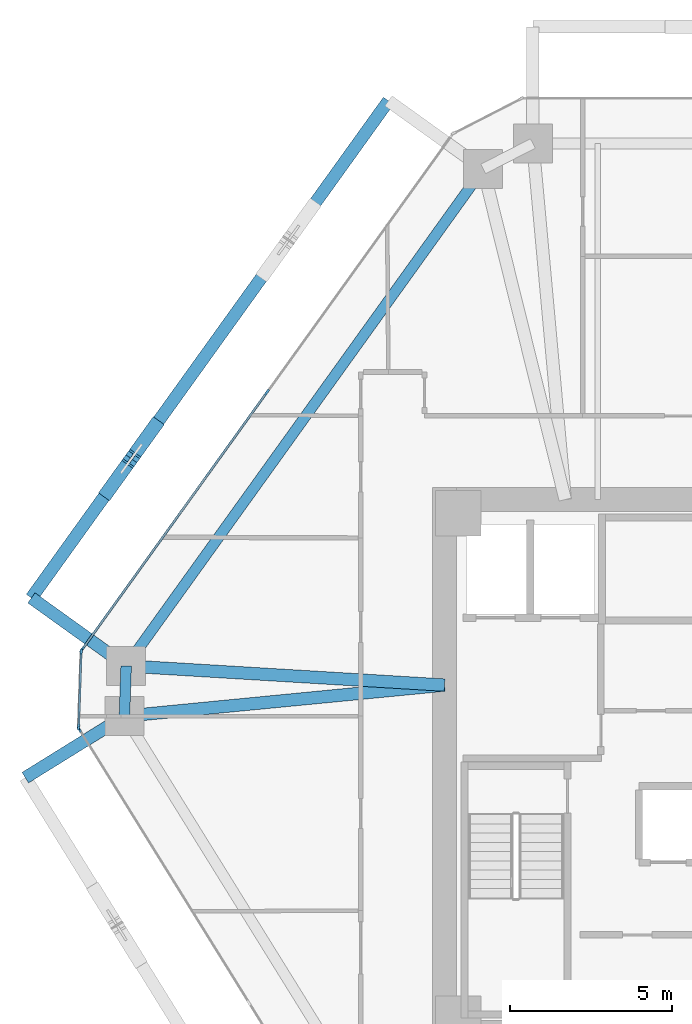
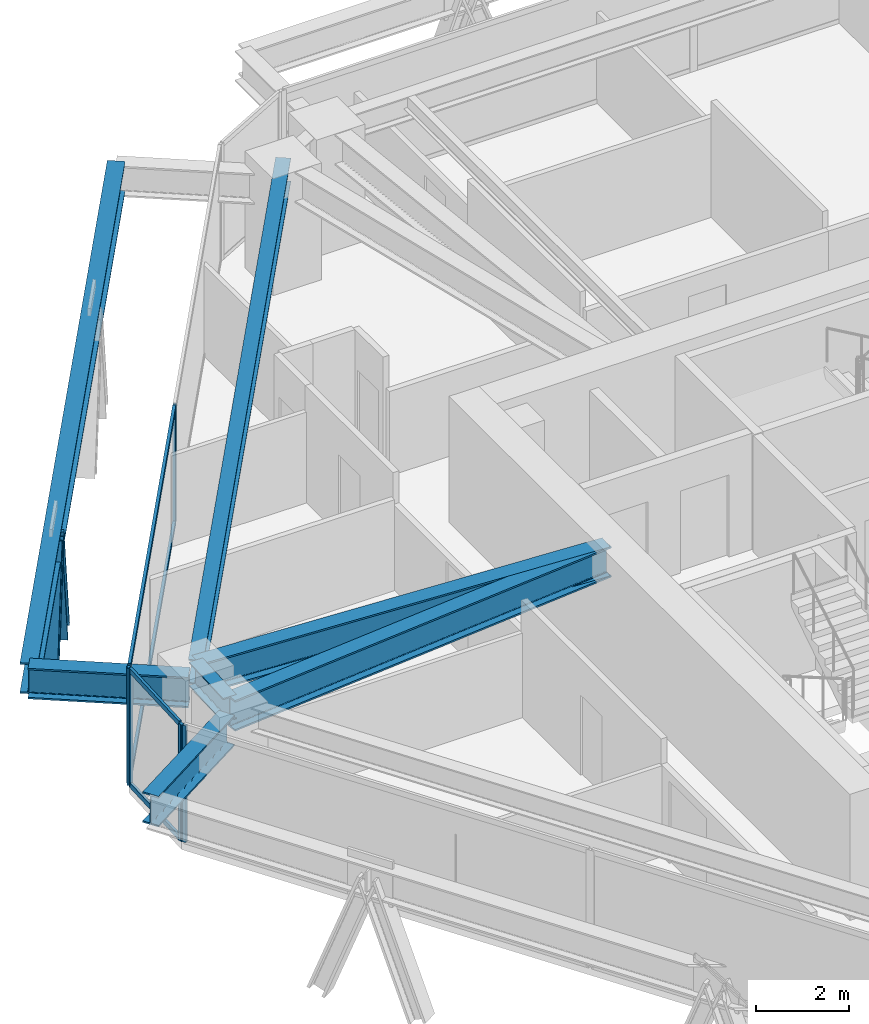
# One storey, part 4 of 16: 11 members, 7 beams, 3 elements without a shape of their own.
"""IFC4 building model written with IfcOpenShell, lengths in metres."""

from ifc_helpers import new_model, si_unit, direction, frame, origin, origin_2d, place, context, subcontext, project, spatial, rectangle, i_section, extrude, source, transform, mapped, material, layer, layer_set, material_profile, profile_set, type_object, type_shapes, element, aggregate, save


model = new_model("IFC4")

# Units and contexts
model_context = context("Model", 3, precision=1e-05, world=origin(), true_north=direction((0.0, 1.0)))
body_context = subcontext(model_context, "Body", "Model", "MODEL_VIEW")
ifc_project = project(units=[si_unit("LENGTHUNIT", "METRE"), si_unit("AREAUNIT", "SQUARE_METRE"), si_unit("VOLUMEUNIT", "CUBIC_METRE"), si_unit("PLANEANGLEUNIT", "RADIAN"), si_unit("MASSUNIT", "GRAM", prefix="KILO")], contexts=[model_context])

# Site, building, storey
site_placement = place(None, origin())
site = spatial("IfcSite", under=ifc_project, at=site_placement, CompositionType="ELEMENT")
building_placement = place(site_placement, origin())
building = spatial("IfcBuilding", under=site, at=building_placement, Name="Durnholm Broadcast Tower", CompositionType="ELEMENT")
storey_placement = place(building_placement, frame((0.0, 0.0, 117.300048828125)))
storey = spatial("IfcBuildingStorey", under=building, at=storey_placement, Name="L31", CompositionType="ELEMENT", Elevation=117.300048828125)

# Beams
ifc_material_1 = material(Name="Steel ASTM A992 Grade 50", Category="steel")
ifc_material_profile_1 = material_profile(ifc_material_1, i_section(OverallWidth=0.385009765625, OverallDepth=0.802978515625, WebThickness=0.023681640625, FlangeThickness=0.0419921875, FilletRadius=0.032958984375, at=origin_2d()), Name="W30X261")
ifc_profile_set_1 = profile_set([ifc_material_profile_1], Name="Steel ASTM A992 Grade 50")
beam_type_1 = type_object("IfcBeamType", Name="BM-EXO-TIE", PredefinedType="USERDEFINED", material=ifc_profile_set_1)
shared_shape_1 = source(origin(), body_context, "Body", "SweptSolid", [
    extrude(i_section(OverallWidth=0.385009765625, OverallDepth=0.802978515625, WebThickness=0.023681640625, FlangeThickness=0.0419921875, FilletRadius=0.032958984375, at=origin_2d()), origin(), (0.0, 0.0, 1.0), 3.4560546875),
])
for number, where, z_axis, x_axis, name in (
    (1, (-20.1669921875, 3.175048828125, 2.30859375), (-0.812164951739, 0.583427880005, 0.0), (-0.583427880005, -0.812164951739, 0.0), "L31 exoskeleton stand-off tie bracket F5.2"),
    (2, (-20.22509765625, 1.465576171875, 2.30859375), (-0.849795112316, -0.527113144481, 0.0), (0.527113144481, -0.849795112316, 0.0), "L31 exoskeleton stand-off tie bracket F6.1"),
):
    element("IfcBeam", number, at=place(storey_placement, frame(where, z_axis=z_axis, x_axis=x_axis)), inside=storey, type_object=beam_type_1, Name=name, ObjectType="GIRDER", PredefinedType="USERDEFINED", context=body_context, shape_type="MappedRepresentation", body=[
        mapped(shared_shape_1, transform((0.0, 0.0, 0.0), x_axis=(1.0, 0.0, 0.0), y_axis=(0.0, 1.0, 0.0), z_axis=(0.0, 0.0, 1.0), scale=1.0)),
    ])
ifc_material_profile_2 = material_profile(ifc_material_1, i_section(OverallWidth=0.3291015625, OverallDepth=0.635009765625, WebThickness=0.017822265625, FlangeThickness=0.031005859375, FilletRadius=0.02783203125, at=origin_2d()), Name="W24X162")
ifc_profile_set_2 = profile_set([ifc_material_profile_2], Name="Steel ASTM A992 Grade 50")
beam_type_2 = type_object("IfcBeamType", Name="STL-SP-W24X162", PredefinedType="SPANDREL", material=ifc_profile_set_2)
shared_shape_2 = source(origin(), body_context, "Body", "SweptSolid", [
    extrude(i_section(OverallWidth=0.3291015625, OverallDepth=0.635009765625, WebThickness=0.017822265625, FlangeThickness=0.031005859375, FilletRadius=0.02783203125, at=origin_2d()), origin(), (0.0, 0.0, 1.0), 1.550537109375),
])
beam_1_placement = place(storey_placement, frame((-20.102783203125, 1.54150390625, 2.7275390625), z_axis=(0.034012135923, 0.999421419928, 0.0), x_axis=(-0.999421419928, 0.034012135923, 0.0)))
element("IfcBeam", 3, at=beam_1_placement, inside=storey, type_object=beam_type_2, Name="L31 perimeter spandrel girder 02", PredefinedType="SPANDREL", context=body_context, shape_type="MappedRepresentation", body=[
    mapped(shared_shape_2, transform((0.0, 0.0, 0.0), x_axis=(1.0, 0.0, 0.0), y_axis=(0.0, 1.0, 0.0), z_axis=(0.0, 0.0, 1.0), scale=1.0)),
])
shared_shape_3 = source(origin(), body_context, "Body", "SweptSolid", [
    extrude(i_section(OverallWidth=0.3291015625, OverallDepth=0.635009765625, WebThickness=0.017822265625, FlangeThickness=0.031005859375, FilletRadius=0.02783203125, at=origin_2d()), origin(), (0.0, 0.0, 1.0), 18.884521484375),
])
type_shapes(beam_type_2, [shared_shape_2, shared_shape_3])
beam_2_placement = place(storey_placement, frame((-20.050048828125, 3.091064453125, 2.7275390625), z_axis=(0.583443434414, 0.812153777827, 0.0), x_axis=(-0.812153777827, 0.583443434414, 0.0)))
element("IfcBeam", 4, at=beam_2_placement, inside=storey, type_object=beam_type_2, Name="L31 perimeter spandrel girder 03", PredefinedType="SPANDREL", context=body_context, shape_type="MappedRepresentation", body=[
    mapped(shared_shape_3, transform((0.0, 0.0, 0.0), x_axis=(1.0, 0.0, 0.0), y_axis=(0.0, 1.0, 0.0), z_axis=(0.0, 0.0, 1.0), scale=1.0)),
])
ifc_material_profile_3 = material_profile(ifc_material_1, i_section(OverallWidth=0.385009765625, OverallDepth=0.802978515625, WebThickness=0.023681640625, FlangeThickness=0.0419921875, FilletRadius=0.032958984375, at=origin_2d()), Name="W30X261")
ifc_profile_set_3 = profile_set([ifc_material_profile_3], Name="Steel ASTM A992 Grade 50")
beam_type_3 = type_object("IfcBeamType", Name="STL-GR-W30X261", PredefinedType="USERDEFINED", material=ifc_profile_set_3)
shared_shape_4 = source(origin(), body_context, "Body", "SweptSolid", [
    extrude(i_section(OverallWidth=0.385009765625, OverallDepth=0.802978515625, WebThickness=0.023681640625, FlangeThickness=0.0419921875, FilletRadius=0.032958984375, at=origin_2d()), origin(), (0.0, 0.0, 1.0), 9.924072265625),
])
beam_3_placement = place(storey_placement, frame((-10.22509765625, 2.5, 2.6435546875), z_axis=(-0.995324947968, -0.096582855378, 0.0), x_axis=(0.096582855378, -0.995324947968, 0.0)))
element("IfcBeam", 5, at=beam_3_placement, inside=storey, type_object=beam_type_3, Name="L31 radial primary floor girder 02", ObjectType="GIRDER", PredefinedType="USERDEFINED", context=body_context, shape_type="MappedRepresentation", body=[
    mapped(shared_shape_4, transform((0.0, 0.0, 0.0), x_axis=(1.0, 0.0, 0.0), y_axis=(0.0, 1.0, 0.0), z_axis=(0.0, 0.0, 1.0), scale=1.0)),
])
shared_shape_5 = source(origin(), body_context, "Body", "SweptSolid", [
    extrude(i_section(OverallWidth=0.385009765625, OverallDepth=0.802978515625, WebThickness=0.023681640625, FlangeThickness=0.0419921875, FilletRadius=0.032958984375, at=origin_2d()), origin(), (0.0, 0.0, 1.0), 9.8427734375),
])
type_shapes(beam_type_3, [shared_shape_4, shared_shape_5])
beam_4_placement = place(storey_placement, frame((-10.22509765625, 2.5, 2.6435546875), z_axis=(-0.998195312551, 0.0600509617, 0.0), x_axis=(-0.0600509617, -0.998195312551, 0.0)))
element("IfcBeam", 6, at=beam_4_placement, inside=storey, type_object=beam_type_3, Name="L31 radial primary floor girder 03", ObjectType="GIRDER", PredefinedType="USERDEFINED", context=body_context, shape_type="MappedRepresentation", body=[
    mapped(shared_shape_5, transform((0.0, 0.0, 0.0), x_axis=(1.0, 0.0, 0.0), y_axis=(0.0, 1.0, 0.0), z_axis=(0.0, 0.0, 1.0), scale=1.0)),
])
shared_shape_6 = source(origin(), body_context, "Body", "SweptSolid", [
    extrude(i_section(OverallWidth=0.385009765625, OverallDepth=0.802978515625, WebThickness=0.023681640625, FlangeThickness=0.0419921875, FilletRadius=0.032958984375, at=origin_2d()), origin(), (0.0, 0.0, 1.0), 18.884765625),
])
type_shapes(beam_type_1, [shared_shape_1, shared_shape_6])
beam_5_placement = place(storey_placement, frame((-11.955810546875, 20.52880859375, 2.30859375), z_axis=(-0.583437308554, -0.812158178551, 0.0), x_axis=(0.812158178551, -0.583437308554, 0.0)))
element("IfcBeam", 7, at=beam_5_placement, inside=storey, type_object=beam_type_1, Name="L31 exoskeleton collector spandrel F5", PredefinedType="SPANDREL", context=body_context, shape_type="MappedRepresentation", body=[
    mapped(shared_shape_6, transform((0.0, 0.0, 0.0), x_axis=(1.0, 0.0, 0.0), y_axis=(0.0, 1.0, 0.0), z_axis=(0.0, 0.0, 1.0), scale=1.0)),
])

# Members
ifc_material_2 = material(Name="Steel ASTM A913 Grade 65", Category="steel")
ifc_material_profile_4 = material_profile(ifc_material_2, i_section(OverallWidth=0.41845703125, OverallDepth=0.455078125, WebThickness=0.0419921875, FlangeThickness=0.067626953125, FilletRadius=0.030517578125, at=origin_2d()), Name="W14X370")
ifc_profile_set_4 = profile_set([ifc_material_profile_4], Name="Steel ASTM A913 Grade 65")
member_type_1 = type_object("IfcMemberType", Name="STL-DG-W14X370", PredefinedType="BRACE", material=ifc_profile_set_4)
shared_shape_7 = source(origin(), body_context, "Body", "SweptSolid", [
    extrude(i_section(OverallWidth=0.41845703125, OverallDepth=0.455078125, WebThickness=0.0419921875, FlangeThickness=0.067626953125, FilletRadius=0.030517578125, at=origin_2d()), origin(), (0.0, 0.0, 1.0), 3.523193359375),
])
type_shapes(member_type_1, [shared_shape_7])
for number, where, z_axis, x_axis, name in (
    (8, (-19.1689453125, 10.488037109375, -0.991455078125), (-0.204350195342, -0.284454917557, 0.936657033039), (0.812153063014, -0.583444429434, 0.0), "L31 stand-off diagrid brace F5.D2.1"),
    (9, (-20.608642578125, 8.48388671875, -0.991455078125), (0.204287819296, 0.284395254542, 0.936688756248), (-0.812179469647, 0.583407669717, 0.0), "L31 stand-off diagrid brace F5.D2.2"),
):
    element("IfcMember", number, at=place(storey_placement, frame(where, z_axis=z_axis, x_axis=x_axis)), inside=storey, type_object=member_type_1, Name=name, PredefinedType="BRACE", context=body_context, shape_type="MappedRepresentation", body=[
        mapped(shared_shape_7, transform((0.0, 0.0, 0.0), x_axis=(1.0, 0.0, 0.0), y_axis=(0.0, 1.0, 0.0), z_axis=(0.0, 0.0, 1.0), scale=1.0)),
    ])

# Curtain wall, members
ifc_material_3 = material(Name="Aluminium and Solar Control IGU", Category="aluminium")
ifc_layer_1 = layer(ifc_material_3, 0.1650390625)
ifc_layer_set_1 = layer_set([ifc_layer_1], Name="Aluminium and Solar Control IGU")
curtain_wall_type_1 = type_object("IfcCurtainWallType", Name="CW-SYS-5", PredefinedType="NOTDEFINED", material=ifc_layer_set_1)
curtain_wall_1_placement = place(storey_placement, origin())
curtain_wall_1 = element("IfcCurtainWall", 10, at=curtain_wall_1_placement, inside=storey, type_object=curtain_wall_type_1, Name="L31 curtain wall CW-CORNER CW-L31-CRN-01", PredefinedType="NOTDEFINED")
ifc_material_4 = material(Name="Aluminium 6063-T6", Category="aluminium")
ifc_material_profile_5 = material_profile(ifc_material_4, rectangle(XDim=0.06494140625, YDim=0.1650390625, at=origin_2d()), Name="CWM65X165")
ifc_profile_set_5 = profile_set([ifc_material_profile_5], Name="Aluminium 6063-T6")
member_type_2 = type_object("IfcMemberType", Name="CW-SYS-5-MUL", PredefinedType="MULLION", material=ifc_profile_set_5)
shared_shape_8 = source(origin(), body_context, "Body", "SweptSolid", [
    extrude(rectangle(XDim=0.06494140625, YDim=0.1650390625, at=origin_2d()), origin(), (0.0, 0.0, 1.0), 3.06005859375),
])
type_shapes(member_type_2, [shared_shape_8])
member_1_placement = place(storey_placement, frame((-21.51513671875, 1.19677734375, 0.0), z_axis=(0.0, 0.0, 1.0), x_axis=(-0.999424655155, 0.033916937775, 0.0)))
member_1 = element("IfcMember", 11, at=member_1_placement, type_object=member_type_2, Name="CW-CORNER mullion 1", PredefinedType="MULLION", context=body_context, shape_type="MappedRepresentation", body=[
    mapped(shared_shape_8, transform((0.0, 0.0, 0.0), x_axis=(1.0, 0.0, 0.0), y_axis=(0.0, 1.0, 0.0), z_axis=(0.0, 0.0, 1.0), scale=1.0)),
])
member_2_placement = place(storey_placement, frame((-21.43603515625, 3.530517578125, 0.0), z_axis=(0.0, 0.0, 1.0), x_axis=(-0.999424655155, 0.033916937775, 0.0)))
member_2 = element("IfcMember", 12, at=member_2_placement, type_object=member_type_2, Name="CW-CORNER mullion 2", PredefinedType="MULLION", context=body_context, shape_type="MappedRepresentation", body=[
    mapped(shared_shape_8, transform((0.0, 0.0, 0.0), x_axis=(1.0, 0.0, 0.0), y_axis=(0.0, 1.0, 0.0), z_axis=(0.0, 0.0, 1.0), scale=1.0)),
])

ifc_layer_2 = layer(ifc_material_3, 0.18994140625)
ifc_layer_set_2 = layer_set([ifc_layer_2], Name="Aluminium and Solar Control IGU")
curtain_wall_type_2 = type_object("IfcCurtainWallType", Name="CW-SYS-3", PredefinedType="NOTDEFINED", material=ifc_layer_set_2)
curtain_wall_2_placement = place(storey_placement, origin())
curtain_wall_2 = element("IfcCurtainWall", 13, at=curtain_wall_2_placement, inside=storey, type_object=curtain_wall_type_2, Name="L31 curtain wall CW-Z12-VIS CW-L31-F02", PredefinedType="NOTDEFINED")
ifc_material_profile_6 = material_profile(ifc_material_4, rectangle(XDim=0.070068359375, YDim=0.18994140625, at=origin_2d()), Name="CWM70X190")
ifc_profile_set_6 = profile_set([ifc_material_profile_6], Name="Aluminium 6063-T6")
member_type_3 = type_object("IfcMemberType", Name="CW-SYS-3-MUL", PredefinedType="MULLION", material=ifc_profile_set_6)
shared_shape_9 = source(origin(), body_context, "Body", "SweptSolid", [
    extrude(rectangle(XDim=0.070068359375, YDim=0.18994140625, at=origin_2d()), origin(), (0.0, 0.0, 1.0), 3.06005859375),
])
type_shapes(member_type_3, [shared_shape_9])
member_3_placement = place(storey_placement, frame((-21.41455078125, 3.59130859375, 0.0), z_axis=(0.0, 0.0, 1.0), x_axis=(-0.812152312759, 0.583445473786, 0.0)))
member_3 = element("IfcMember", 14, at=member_3_placement, type_object=member_type_3, Name="CW-Z12-VIS mullion 1", PredefinedType="MULLION", context=body_context, shape_type="MappedRepresentation", body=[
    mapped(shared_shape_9, transform((0.0, 0.0, 0.0), x_axis=(1.0, 0.0, 0.0), y_axis=(0.0, 1.0, 0.0), z_axis=(0.0, 0.0, 1.0), scale=1.0)),
])
member_4_placement = place(storey_placement, frame((-15.703369140625, 11.541259765625, 0.0), z_axis=(0.0, 0.0, 1.0), x_axis=(-0.812152312759, 0.583445473786, 0.0)))
member_4 = element("IfcMember", 15, at=member_4_placement, type_object=member_type_3, Name="CW-Z12-VIS mullion 2", PredefinedType="MULLION", context=body_context, shape_type="MappedRepresentation", body=[
    mapped(shared_shape_9, transform((0.0, 0.0, 0.0), x_axis=(1.0, 0.0, 0.0), y_axis=(0.0, 1.0, 0.0), z_axis=(0.0, 0.0, 1.0), scale=1.0)),
])

# Curtain wall, member
curtain_wall_3_placement = place(storey_placement, origin())
curtain_wall_3 = element("IfcCurtainWall", 16, at=curtain_wall_3_placement, inside=storey, type_object=curtain_wall_type_2, Name="L31 curtain wall CW-Z12-VIS CW-L31-F12", PredefinedType="NOTDEFINED")
member_5_placement = place(storey_placement, frame((-21.497802734375, 1.134765625, 0.0), z_axis=(0.0, 0.0, 1.0), x_axis=(-0.849799925229, -0.527105385176, 0.0)))
member_5 = element("IfcMember", 17, at=member_5_placement, type_object=member_type_3, Name="CW-Z12-VIS mullion 3", PredefinedType="MULLION", context=body_context, shape_type="MappedRepresentation", body=[
    mapped(shared_shape_9, transform((0.0, 0.0, 0.0), x_axis=(1.0, 0.0, 0.0), y_axis=(0.0, 1.0, 0.0), z_axis=(0.0, 0.0, 1.0), scale=1.0)),
])
aggregate(curtain_wall_3, [member_5])

# Member
ifc_material_profile_7 = material_profile(ifc_material_4, rectangle(XDim=0.06494140625, YDim=0.1298828125, at=origin_2d()), Name="CWT65X130")
ifc_profile_set_7 = profile_set([ifc_material_profile_7], Name="Aluminium 6063-T6")
member_type_4 = type_object("IfcMemberType", Name="CW-SYS-5-TRN", PredefinedType="USERDEFINED", material=ifc_profile_set_7)
shared_shape_10 = source(origin(), body_context, "Body", "SweptSolid", [
    extrude(rectangle(XDim=0.06494140625, YDim=0.1298828125, at=origin_2d()), origin(), (0.0, 0.0, 1.0), 2.27001953125),
])
type_shapes(member_type_4, [shared_shape_10])
member_6_placement = place(storey_placement, frame((-21.51416015625, 1.229248046875, 0.032470703125), z_axis=(0.03398444704, 0.999422361847, 0.0), x_axis=(-0.999422361847, 0.03398444704, 0.0)))
member_6 = element("IfcMember", 18, at=member_6_placement, type_object=member_type_4, Name="CW-CORNER transom 1.1", ObjectType="TRANSOM", PredefinedType="USERDEFINED", context=body_context, shape_type="MappedRepresentation", body=[
    mapped(shared_shape_10, transform((0.0, 0.0, 0.0), x_axis=(1.0, 0.0, 0.0), y_axis=(0.0, 1.0, 0.0), z_axis=(0.0, 0.0, 1.0), scale=1.0)),
])

member_7_placement = place(storey_placement, frame((-21.51416015625, 1.229248046875, 3.02734375), z_axis=(0.03398444704, 0.999422361847, 0.0), x_axis=(-0.999422361847, 0.03398444704, 0.0)))
member_7 = element("IfcMember", 19, at=member_7_placement, type_object=member_type_4, Name="CW-CORNER transom 1.2", ObjectType="TRANSOM", PredefinedType="USERDEFINED", context=body_context, shape_type="MappedRepresentation", body=[
    mapped(shared_shape_10, transform((0.0, 0.0, 0.0), x_axis=(1.0, 0.0, 0.0), y_axis=(0.0, 1.0, 0.0), z_axis=(0.0, 0.0, 1.0), scale=1.0)),
])

aggregate(curtain_wall_1, [member_1, member_2, member_6, member_7])

ifc_material_profile_8 = material_profile(ifc_material_4, rectangle(XDim=0.070068359375, YDim=0.14990234375, at=origin_2d()), Name="CWT70X150")
ifc_profile_set_8 = profile_set([ifc_material_profile_8], Name="Aluminium 6063-T6")
member_type_5 = type_object("IfcMemberType", Name="CW-SYS-3-TRN", PredefinedType="USERDEFINED", material=ifc_profile_set_8)
shared_shape_11 = source(origin(), body_context, "Body", "SweptSolid", [
    extrude(rectangle(XDim=0.070068359375, YDim=0.14990234375, at=origin_2d()), origin(), (0.0, 0.0, 1.0), 9.71875),
])
type_shapes(member_type_5, [shared_shape_11])
member_8_placement = place(storey_placement, frame((-21.39404296875, 3.619873046875, 0.034912109375), z_axis=(0.583450726174, 0.812148539448, 0.0), x_axis=(-0.812148539448, 0.583450726174, 0.0)))
member_8 = element("IfcMember", 20, at=member_8_placement, type_object=member_type_5, Name="CW-Z12-VIS transom 1.1", ObjectType="TRANSOM", PredefinedType="USERDEFINED", context=body_context, shape_type="MappedRepresentation", body=[
    mapped(shared_shape_11, transform((0.0, 0.0, 0.0), x_axis=(1.0, 0.0, 0.0), y_axis=(0.0, 1.0, 0.0), z_axis=(0.0, 0.0, 1.0), scale=1.0)),
])

member_9_placement = place(storey_placement, frame((-21.39404296875, 3.619873046875, 3.02490234375), z_axis=(0.583450726174, 0.812148539448, 0.0), x_axis=(-0.812148539448, 0.583450726174, 0.0)))
member_9 = element("IfcMember", 21, at=member_9_placement, type_object=member_type_5, Name="CW-Z12-VIS transom 1.2", ObjectType="TRANSOM", PredefinedType="USERDEFINED", context=body_context, shape_type="MappedRepresentation", body=[
    mapped(shared_shape_11, transform((0.0, 0.0, 0.0), x_axis=(1.0, 0.0, 0.0), y_axis=(0.0, 1.0, 0.0), z_axis=(0.0, 0.0, 1.0), scale=1.0)),
])

aggregate(curtain_wall_2, [member_3, member_4, member_8, member_9])

save(model, "model.ifc")
